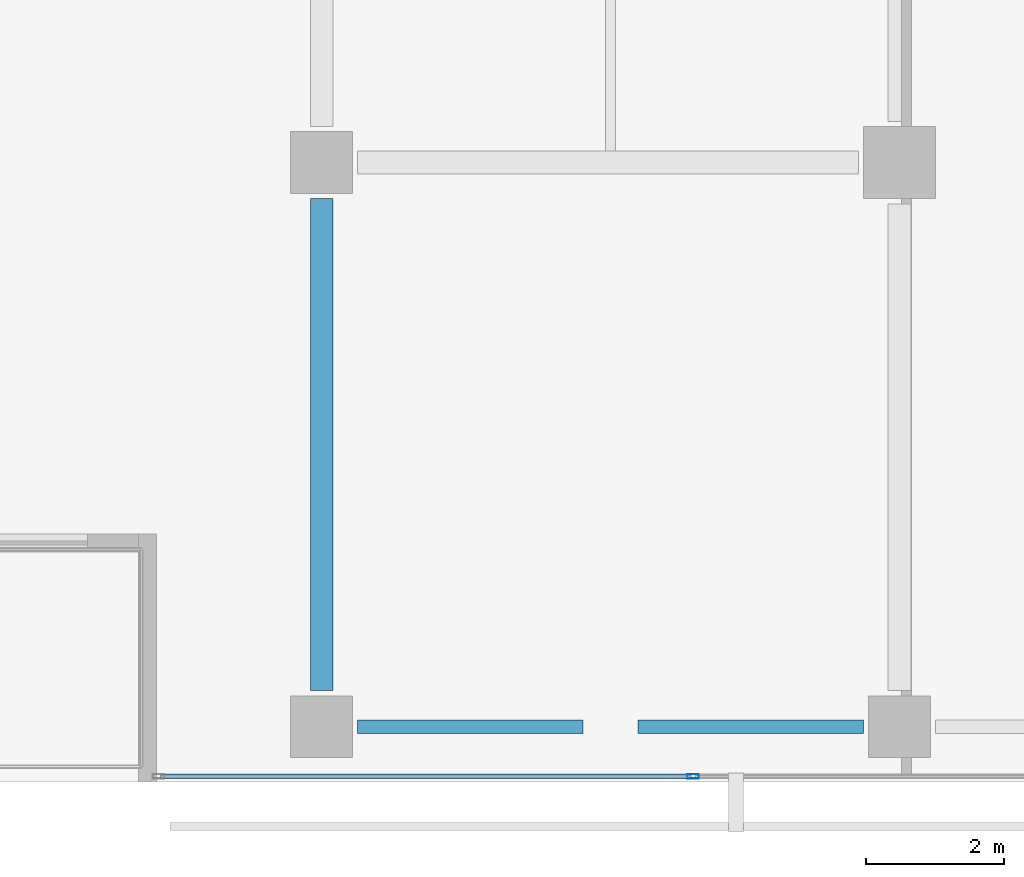
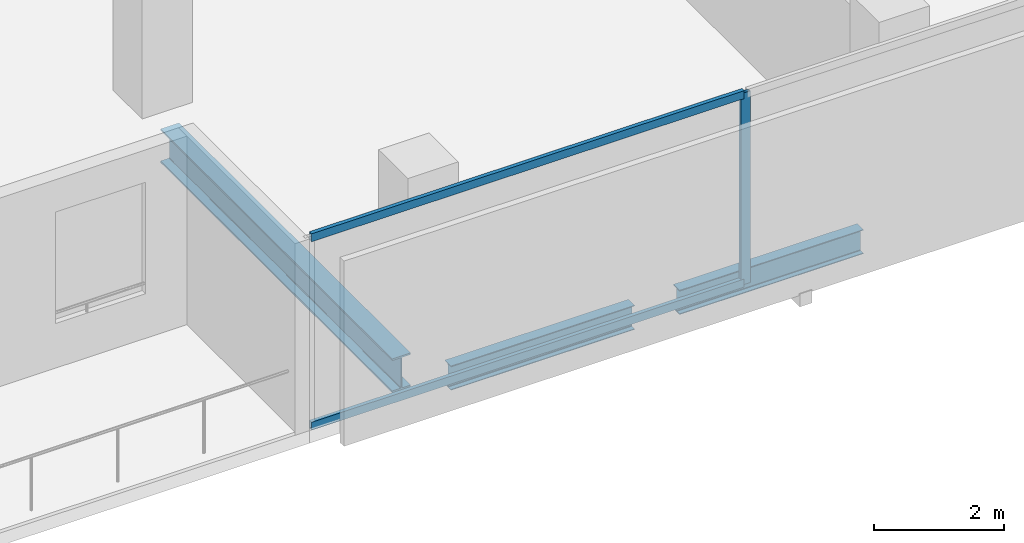
# One storey, part 3 of 31: 3 beams, 3 members, 1 element without a shape of its own.
"""IFC4 building model written with IfcOpenShell, lengths in metres."""

from ifc_helpers import new_model, si_unit, direction, frame, origin, origin_2d, place, context, subcontext, project, spatial, hollow_rectangle, i_section, extrude, material, layer, layer_set, material_profile, profile_set, type_object, element, aggregate, save


model = new_model("IFC4")

# Units and contexts
model_context = context("Model", 3, precision=1e-05, world=origin(), true_north=direction((0.0, 1.0)))
body_context = subcontext(model_context, "Body", "Model", "MODEL_VIEW")
ifc_project = project(units=[si_unit("LENGTHUNIT", "METRE"), si_unit("AREAUNIT", "SQUARE_METRE"), si_unit("VOLUMEUNIT", "CUBIC_METRE"), si_unit("PLANEANGLEUNIT", "RADIAN"), si_unit("MASSUNIT", "GRAM", prefix="KILO")], contexts=[model_context])

# Site, building, storey
site_placement = place(None, origin())
site = spatial("IfcSite", under=ifc_project, at=site_placement, CompositionType="ELEMENT")
building_placement = place(site_placement, origin())
building = spatial("IfcBuilding", under=site, at=building_placement, Name="Maruvema Waterfront Hotel and Observation Tower", CompositionType="ELEMENT")
storey_placement = place(building_placement, frame((0.0, 0.0, 26.949951171875)))
storey = spatial("IfcBuildingStorey", under=building, at=storey_placement, Name="L05", CompositionType="ELEMENT", Elevation=26.949951171875)

# Curtain wall, members
ifc_material_1 = material(Name="Anodised bronze aluminium and solar-control low-E IGU", Category="aluminium")
ifc_layer = layer(ifc_material_1, 0.159912109375, Name="Zone 1 Bronze Inner Thermal Curtain Wall System CW-02")
ifc_layer_set = layer_set([ifc_layer], Name="Anodised bronze aluminium and solar-control low-E IGU")
curtain_wall_type = type_object("IfcCurtainWallType", Name="Zone 1 Bronze Inner Thermal Curtain Wall System CW-02", PredefinedType="USERDEFINED", material=ifc_layer_set)
curtain_wall_placement = place(storey_placement, origin())
curtain_wall = element("IfcCurtainWall", 1, at=curtain_wall_placement, inside=storey, type_object=curtain_wall_type, Name="L05 Curtain Wall CW-L05-S", ObjectType="UNITISED CURTAIN WALL", PredefinedType="USERDEFINED")
ifc_material_2 = material(Name="Anodised architectural bronze aluminium", Category="aluminium")
ifc_material_profile_1 = material_profile(ifc_material_2, hollow_rectangle(XDim=0.070068359375, YDim=0.14990234375, WallThickness=0.00390625, at=origin_2d()), Name="ALU-T70x150")
ifc_profile_set_1 = profile_set([ifc_material_profile_1], Name="Anodised architectural bronze aluminium")
member_type_1 = type_object("IfcMemberType", Name="Curtain Wall Horizontal Transom ALU-T70x150", PredefinedType="USERDEFINED", material=ifc_profile_set_1)
member_1_placement = place(storey_placement, frame((14.4599609375, 0.080078125, 0.030029296875), z_axis=(1.0, 0.0, 0.0), x_axis=(0.0, 1.0, 0.0)))
member_1 = element("IfcMember", 2, at=member_1_placement, type_object=member_type_1, Name="CW-02 transom 1.1", ObjectType="TRANSOM", PredefinedType="USERDEFINED", context=body_context, shape_type="SweptSolid", body=[
    extrude(hollow_rectangle(XDim=0.070068359375, YDim=0.14990234375, WallThickness=0.00390625, at=origin_2d()), origin(), (0.0, 0.0, 1.0), 7.7099609375),
])
member_2_placement = place(storey_placement, frame((14.4599609375, 0.080078125, 3.580078125), z_axis=(1.0, 0.0, 0.0), x_axis=(0.0, 1.0, 0.0)))
member_2 = element("IfcMember", 3, at=member_2_placement, type_object=member_type_1, Name="CW-02 transom 1.2", ObjectType="TRANSOM", PredefinedType="USERDEFINED", context=body_context, shape_type="SweptSolid", body=[
    extrude(hollow_rectangle(XDim=0.070068359375, YDim=0.14990234375, WallThickness=0.00390625, at=origin_2d()), origin(), (0.0, 0.0, 1.0), 7.7099609375),
])
ifc_material_3 = material(Name="Anodised architectural bronze aluminium", Category="aluminium")
ifc_material_profile_2 = material_profile(ifc_material_3, hollow_rectangle(XDim=0.06494140625, YDim=0.1650390625, WallThickness=0.00390625, at=origin_2d()), Name="ALU-M65x165")
ifc_profile_set_2 = profile_set([ifc_material_profile_2], Name="Anodised architectural bronze aluminium")
member_type_2 = type_object("IfcMemberType", Name="Curtain Wall Primary Mullion ALU-M65x165", PredefinedType="MULLION", material=ifc_profile_set_2)
member_3_placement = place(storey_placement, frame((22.199951171875, 0.080078125, 0.0), z_axis=(0.0, 0.0, 1.0), x_axis=(0.0, 1.0, 0.0)))
member_3 = element("IfcMember", 4, at=member_3_placement, type_object=member_type_2, Name="CW-02 mullion 2", PredefinedType="MULLION", context=body_context, shape_type="SweptSolid", body=[
    extrude(hollow_rectangle(XDim=0.06494140625, YDim=0.1650390625, WallThickness=0.00390625, at=origin_2d()), origin(), (0.0, 0.0, 1.0), 3.610107421875),
])
aggregate(curtain_wall, [member_3, member_1, member_2])

# Beams
ifc_material_4 = material(Name="Steel ASTM A572 Grade 50", Category="steel")
ifc_material_profile_3 = material_profile(ifc_material_4, i_section(OverallWidth=0.18994140625, OverallDepth=0.45703125, WebThickness=0.009033203125, FlangeThickness=0.014404296875, FilletRadius=0.014892578125, at=origin_2d()), Name="W460x74.0")
ifc_profile_set_3 = profile_set([ifc_material_profile_3], Name="Steel ASTM A572 Grade 50")
beam_type_1 = type_object("IfcBeamType", Name="Perimeter Spandrel Beam W460x74.0", PredefinedType="SPANDREL", material=ifc_profile_set_3)
for number, where, z_axis, x_axis, name in (
    (5, (17.324951171875, 0.800048828125, -0.468505859375), (1.0, 0.0, 0.0), (0.0, 1.0, 0.0), "L05 Floor Girder EW-01"),
    (6, (21.39990234375, 0.800048828125, -0.468505859375), (1.0, 0.0, 0.0), (0.0, 1.0, 0.0), "L05 Floor Girder EW-02"),
):
    element("IfcBeam", number, at=place(storey_placement, frame(where, z_axis=z_axis, x_axis=x_axis)), inside=storey, type_object=beam_type_1, Name=name, PredefinedType="SPANDREL", context=body_context, shape_type="SweptSolid", body=[
        extrude(i_section(OverallWidth=0.18994140625, OverallDepth=0.45703125, WebThickness=0.009033203125, FlangeThickness=0.014404296875, FilletRadius=0.014892578125, at=origin_2d()), origin(), (0.0, 0.0, 1.0), 3.275146484375),
    ])
ifc_material_5 = material(Name="Steel ASTM A572 Grade 50", Category="steel")
ifc_material_profile_4 = material_profile(ifc_material_5, i_section(OverallWidth=0.3291015625, OverallDepth=0.635009765625, WebThickness=0.017822265625, FlangeThickness=0.031005859375, FilletRadius=0.01806640625, at=origin_2d()), Name="W610x241.0")
ifc_profile_set_4 = profile_set([ifc_material_profile_4], Name="Steel ASTM A572 Grade 50")
beam_type_2 = type_object("IfcBeamType", Name="Primary Floor Girder W610x241.0", PredefinedType="BEAM", material=ifc_profile_set_4)
beam_placement = place(storey_placement, frame((16.800048828125, 1.324951171875, -0.557373046875), z_axis=(0.0, 1.0, 0.0), x_axis=(-1.0, 0.0, 0.0)))
element("IfcBeam", 7, at=beam_placement, inside=storey, type_object=beam_type_2, Name="L05 Floor Girder NS-01", PredefinedType="BEAM", context=body_context, shape_type="SweptSolid", body=[
    extrude(i_section(OverallWidth=0.3291015625, OverallDepth=0.635009765625, WebThickness=0.017822265625, FlangeThickness=0.031005859375, FilletRadius=0.01806640625, at=origin_2d()), origin(), (0.0, 0.0, 1.0), 7.150146484375),
])

save(model, "model.ifc")
